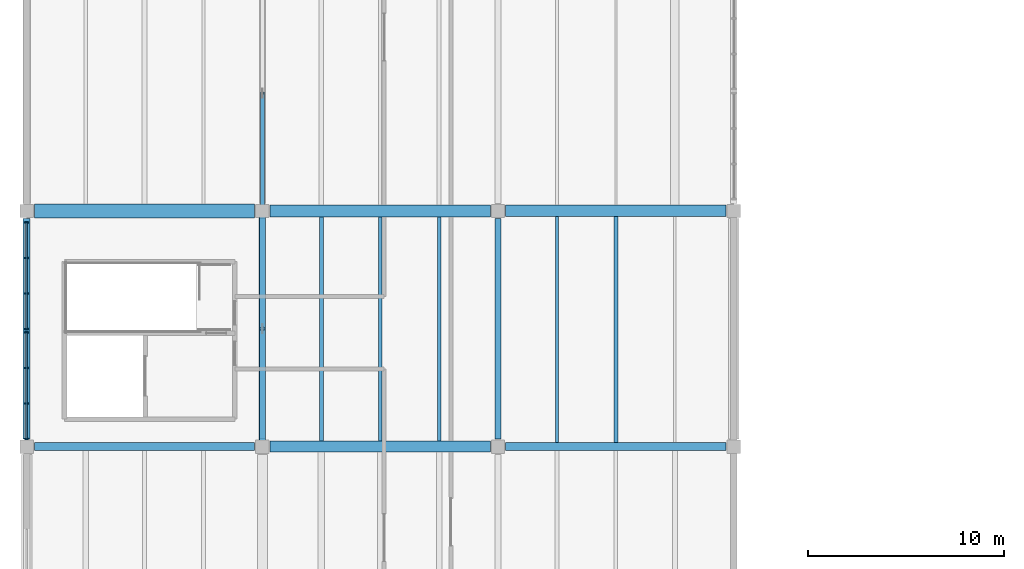
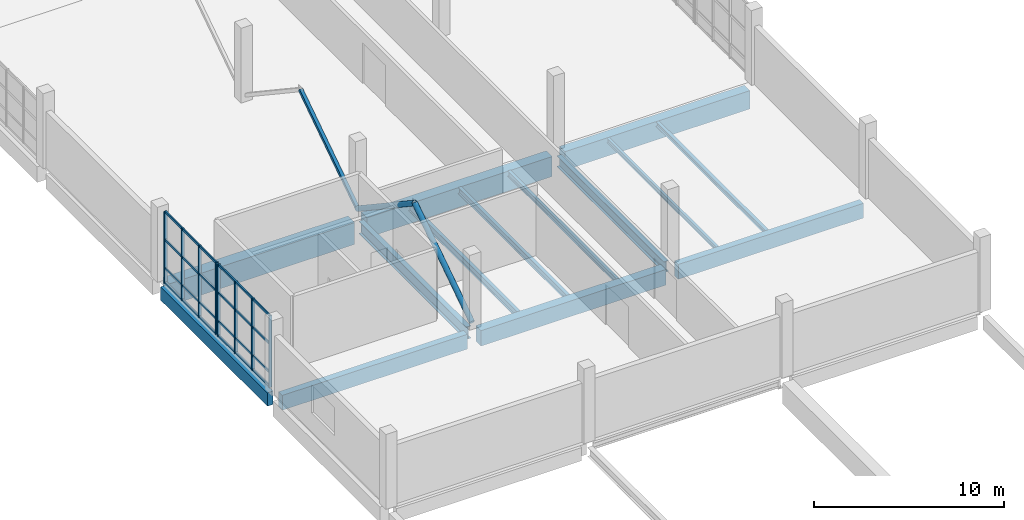
# One storey, part 5 of 49: 19 members, 14 beams, 2 elements without a shape of their own.
"""IFC4 building model written with IfcOpenShell, lengths in metres."""

from ifc_helpers import new_model, si_unit, direction, frame, origin, origin_2d, place, context, subcontext, project, spatial, rectangle, hollow_rectangle, hollow_circle, i_section, extrude, material, material_profile, profile_set, type_object, element, aggregate, save


model = new_model("IFC4")

# Units and contexts
model_context = context("Model", 3, precision=1e-05, world=origin(), true_north=direction((0.0, 1.0)))
body_context = subcontext(model_context, "Body", "Model", "MODEL_VIEW")
ifc_project = project(units=[si_unit("LENGTHUNIT", "METRE"), si_unit("AREAUNIT", "SQUARE_METRE"), si_unit("VOLUMEUNIT", "CUBIC_METRE"), si_unit("PLANEANGLEUNIT", "RADIAN"), si_unit("MASSUNIT", "GRAM", prefix="KILO")], contexts=[model_context])

# Site, building, storey
site_placement = place(None, origin())
site = spatial("IfcSite", under=ifc_project, at=site_placement, CompositionType="ELEMENT")
building_placement = place(site_placement, origin())
building = spatial("IfcBuilding", under=site, at=building_placement, Name="Kamomehara Wholesale Market", CompositionType="ELEMENT")
storey_placement = place(building_placement, frame((0.0, 0.0, 11.39990234375)))
storey = spatial("IfcBuildingStorey", under=building, at=storey_placement, Name="L02", CompositionType="ELEMENT", Elevation=11.39990234375)

# Beams
ifc_material_1 = material(Name="Precast concrete Fc45 (C40/50)", Category="concrete")
ifc_material_profile_1 = material_profile(ifc_material_1, rectangle(XDim=0.580078125, YDim=1.179931640625, at=origin_2d()), Name="PC-GRD-580x1180")
ifc_profile_set_1 = profile_set([ifc_material_profile_1], Name="Precast concrete Fc45 (C40/50)")
beam_type_1 = type_object("IfcBeamType", Name="BM-PG1180", PredefinedType="T_BEAM", material=ifc_profile_set_1)
beam_1_placement = place(storey_placement, frame((24.389892578125, 72.0, -0.911865234375), z_axis=(1.0, 0.0, 0.0), x_axis=(0.0, 1.0, 0.0)))
element("IfcBeam", 1, at=beam_1_placement, inside=storey, type_object=beam_type_1, Name="Beam PG-14 L02", PredefinedType="T_BEAM", context=body_context, shape_type="SweptSolid", body=[
    extrude(rectangle(XDim=0.580078125, YDim=1.179931640625, at=origin_2d()), origin(), (0.0, 0.0, 1.0), 11.22021484375),
])
ifc_material_2 = material(Name="Precast concrete Fc45 (C40/50)", Category="concrete")
ifc_material_profile_2 = material_profile(ifc_material_2, rectangle(XDim=0.6201171875, YDim=1.280029296875, at=origin_2d()), Name="PC-GRD-620x1280")
ifc_profile_set_2 = profile_set([ifc_material_profile_2], Name="Precast concrete Fc45 (C40/50)")
beam_type_2 = type_object("IfcBeamType", Name="BM-PG1280", PredefinedType="T_BEAM", material=ifc_profile_set_2)
beam_2_placement = place(storey_placement, frame((12.389892578125, 72.0, -0.98193359375), z_axis=(1.0, 0.0, 0.0), x_axis=(0.0, 1.0, 0.0)))
element("IfcBeam", 2, at=beam_2_placement, inside=storey, type_object=beam_type_2, Name="Beam PG-13 L02", PredefinedType="T_BEAM", context=body_context, shape_type="SweptSolid", body=[
    extrude(rectangle(XDim=0.6201171875, YDim=1.280029296875, at=origin_2d()), origin(), (0.0, 0.0, 1.0), 11.22021484375),
])
ifc_material_3 = material(Name="Precast concrete Fc45 (C40/50)", Category="concrete")
ifc_material_profile_3 = material_profile(ifc_material_3, rectangle(XDim=0.699951171875, YDim=1.39990234375, at=origin_2d()), Name="PC-GRD-700x1400")
ifc_profile_set_3 = profile_set([ifc_material_profile_3], Name="Precast concrete Fc45 (C40/50)")
beam_type_3 = type_object("IfcBeamType", Name="BM-PG1400", PredefinedType="T_BEAM", material=ifc_profile_set_3)
beam_3_placement = place(storey_placement, frame((0.389892578125, 72.0, -1.0419921875), z_axis=(1.0, 0.0, 0.0), x_axis=(0.0, 1.0, 0.0)))
element("IfcBeam", 3, at=beam_3_placement, inside=storey, type_object=beam_type_3, Name="Beam PG-02 L02", PredefinedType="T_BEAM", context=body_context, shape_type="SweptSolid", body=[
    extrude(rectangle(XDim=0.699951171875, YDim=1.39990234375, at=origin_2d()), origin(), (0.0, 0.0, 1.0), 11.22021484375),
])
ifc_material_4 = material(Name="Concrete Fc36 (C35/45)", Category="concrete")
ifc_material_profile_4 = material_profile(ifc_material_4, rectangle(XDim=0.550048828125, YDim=1.0, at=origin_2d()), Name="RC-SEB-550x1000")
ifc_profile_set_4 = profile_set([ifc_material_profile_4], Name="Concrete Fc36 (C35/45)")
beam_type_4 = type_object("IfcBeamType", Name="BM-SEB1000-EXT", PredefinedType="SPANDREL", material=ifc_profile_set_4)
beam_4_placement = place(storey_placement, frame((12.389892578125, 60.0, -0.81201171875), z_axis=(1.0, 0.0, 0.0), x_axis=(0.0, 1.0, 0.0)))
element("IfcBeam", 4, at=beam_4_placement, inside=storey, type_object=beam_type_4, Name="Beam SEB-03E L02", PredefinedType="SPANDREL", context=body_context, shape_type="SweptSolid", body=[
    extrude(rectangle(XDim=0.550048828125, YDim=1.0, at=origin_2d()), origin(), (0.0, 0.0, 1.0), 11.22021484375),
])
ifc_material_5 = material(Name="Precast concrete Fc45 (C40/50)", Category="concrete")
ifc_material_profile_5 = material_profile(ifc_material_5, rectangle(XDim=0.35009765625, YDim=0.85009765625, at=origin_2d()), Name="PC-SPN-350x850")
ifc_profile_set_5 = profile_set([ifc_material_profile_5], Name="Precast concrete Fc45 (C40/50)")
beam_type_5 = type_object("IfcBeamType", Name="BM-SPN850-EXT", PredefinedType="SPANDREL", material=ifc_profile_set_5)
beam_5_placement = place(storey_placement, frame((0.0, 60.389892578125, -0.73681640625), z_axis=(0.0, 1.0, 0.0), x_axis=(-1.0, 0.0, 0.0)))
element("IfcBeam", 5, at=beam_5_placement, inside=storey, type_object=beam_type_5, Name="Beam SPN-02E L02", PredefinedType="SPANDREL", context=body_context, shape_type="SweptSolid", body=[
    extrude(rectangle(XDim=0.35009765625, YDim=0.85009765625, at=origin_2d()), origin(), (0.0, 0.0, 1.0), 11.22021484375),
])
ifc_material_6 = material(Name="Precast concrete Fc45 (C40/50)", Category="concrete")
ifc_material_profile_6 = material_profile(ifc_material_6, rectangle(XDim=0.39990234375, YDim=0.949951171875, at=origin_2d()), Name="PC-SPN-400x950")
ifc_profile_set_6 = profile_set([ifc_material_profile_6], Name="Precast concrete Fc45 (C40/50)")
beam_type_6 = type_object("IfcBeamType", Name="BM-SPN950-EXT", PredefinedType="SPANDREL", material=ifc_profile_set_6)
for number, where, z_axis, x_axis, name in (
    (6, (0.389892578125, 60.0, -0.786865234375), (1.0, 0.0, 0.0), (0.0, 1.0, 0.0), "Beam SPN-01E L02"),
    (7, (24.389892578125, 60.0, -0.796875), (1.0, 0.0, 0.0), (0.0, 1.0, 0.0), "Beam SPN-01E L02"),
):
    element("IfcBeam", number, at=place(storey_placement, frame(where, z_axis=z_axis, x_axis=x_axis)), inside=storey, type_object=beam_type_6, Name=name, PredefinedType="SPANDREL", context=body_context, shape_type="SweptSolid", body=[
        extrude(rectangle(XDim=0.39990234375, YDim=0.949951171875, at=origin_2d()), origin(), (0.0, 0.0, 1.0), 11.22021484375),
    ])
ifc_material_7 = material(Name="Steel SN400B", Category="steel")
ifc_material_profile_7 = material_profile(ifc_material_7, i_section(OverallWidth=0.199951171875, OverallDepth=0.2939453125, WebThickness=0.008056640625, FlangeThickness=0.011962890625, FilletRadius=0.012939453125, at=origin_2d()), Name="H-294x200x8x12")
ifc_profile_set_7 = profile_set([ifc_material_profile_7], Name="Steel SN400B")
beam_type_7 = type_object("IfcBeamType", Name="BM-ST-H294", PredefinedType="JOIST", material=ifc_profile_set_7)
beam_6_placement = place(storey_placement, frame((30.0, 60.199951171875, -0.468994140625), z_axis=(0.0, 1.0, 0.0), x_axis=(-1.0, 0.0, 0.0)))
element("IfcBeam", 8, at=beam_6_placement, inside=storey, type_object=beam_type_7, Name="Beam SJ-09 L02", PredefinedType="JOIST", context=body_context, shape_type="SweptSolid", body=[
    extrude(i_section(OverallWidth=0.199951171875, OverallDepth=0.2939453125, WebThickness=0.008056640625, FlangeThickness=0.011962890625, FilletRadius=0.012939453125, at=origin_2d()), origin(), (0.0, 0.0, 1.0), 11.510009765625),
])
ifc_material_8 = material(Name="Steel SN400B", Category="steel")
ifc_material_profile_8 = material_profile(ifc_material_8, i_section(OverallWidth=0.14990234375, OverallDepth=0.300048828125, WebThickness=0.006591796875, FlangeThickness=0.009033203125, FilletRadius=0.012939453125, at=origin_2d()), Name="H-300x150x6.5x9")
ifc_profile_set_8 = profile_set([ifc_material_profile_8], Name="Steel SN400B")
beam_type_8 = type_object("IfcBeamType", Name="BM-ST-H300", PredefinedType="JOIST", material=ifc_profile_set_8)
beam_7_placement = place(storey_placement, frame((27.0, 60.199951171875, -0.471923828125), z_axis=(0.0, 1.0, 0.0), x_axis=(-1.0, 0.0, 0.0)))
element("IfcBeam", 9, at=beam_7_placement, inside=storey, type_object=beam_type_8, Name="Beam SJ-05 L02", PredefinedType="JOIST", context=body_context, shape_type="SweptSolid", body=[
    extrude(i_section(OverallWidth=0.14990234375, OverallDepth=0.300048828125, WebThickness=0.006591796875, FlangeThickness=0.009033203125, FilletRadius=0.012939453125, at=origin_2d()), origin(), (0.0, 0.0, 1.0), 11.510009765625),
])
ifc_material_9 = material(Name="Steel SN400B", Category="steel")
ifc_material_profile_9 = material_profile(ifc_material_9, i_section(OverallWidth=0.175048828125, OverallDepth=0.35009765625, WebThickness=0.007080078125, FlangeThickness=0.010986328125, FilletRadius=0.012939453125, at=origin_2d()), Name="H-350x175x7x11")
ifc_profile_set_9 = profile_set([ifc_material_profile_9], Name="Steel SN400B")
beam_type_9 = type_object("IfcBeamType", Name="BM-ST-H350", PredefinedType="JOIST", material=ifc_profile_set_9)
beam_8_placement = place(storey_placement, frame((21.0, 60.27490234375, -0.48681640625), z_axis=(0.0, 1.0, 0.0), x_axis=(-1.0, 0.0, 0.0)))
element("IfcBeam", 10, at=beam_8_placement, inside=storey, type_object=beam_type_9, Name="Beam SJ-04 L02", PredefinedType="JOIST", context=body_context, shape_type="SweptSolid", body=[
    extrude(i_section(OverallWidth=0.175048828125, OverallDepth=0.35009765625, WebThickness=0.007080078125, FlangeThickness=0.010986328125, FilletRadius=0.012939453125, at=origin_2d()), origin(), (0.0, 0.0, 1.0), 11.4150390625),
])
ifc_material_10 = material(Name="Steel SN400B", Category="steel")
ifc_material_profile_10 = material_profile(ifc_material_10, i_section(OverallWidth=0.199951171875, OverallDepth=0.39990234375, WebThickness=0.008056640625, FlangeThickness=0.012939453125, FilletRadius=0.012939453125, at=origin_2d()), Name="H-400x200x8x13")
ifc_profile_set_10 = profile_set([ifc_material_profile_10], Name="Steel SN400B")
beam_type_10 = type_object("IfcBeamType", Name="BM-ST-H400", PredefinedType="JOIST", material=ifc_profile_set_10)
beam_9_placement = place(storey_placement, frame((18.0, 60.27490234375, -0.511962890625), z_axis=(0.0, 1.0, 0.0), x_axis=(-1.0, 0.0, 0.0)))
element("IfcBeam", 11, at=beam_9_placement, inside=storey, type_object=beam_type_10, Name="Beam SJ-02 L02", PredefinedType="JOIST", context=body_context, shape_type="SweptSolid", body=[
    extrude(i_section(OverallWidth=0.199951171875, OverallDepth=0.39990234375, WebThickness=0.008056640625, FlangeThickness=0.012939453125, FilletRadius=0.012939453125, at=origin_2d()), origin(), (0.0, 0.0, 1.0), 11.4150390625),
])
ifc_material_11 = material(Name="Steel SN400B", Category="steel")
ifc_material_profile_11 = material_profile(ifc_material_11, i_section(OverallWidth=0.199951171875, OverallDepth=0.449951171875, WebThickness=0.009033203125, FlangeThickness=0.013916015625, FilletRadius=0.012939453125, at=origin_2d()), Name="H-450x200x9x14")
ifc_profile_set_11 = profile_set([ifc_material_profile_11], Name="Steel SN400B")
beam_type_11 = type_object("IfcBeamType", Name="BM-ST-H450", PredefinedType="JOIST", material=ifc_profile_set_11)
beam_10_placement = place(storey_placement, frame((15.0, 60.27490234375, -0.536865234375), z_axis=(0.0, 1.0, 0.0), x_axis=(-1.0, 0.0, 0.0)))
element("IfcBeam", 12, at=beam_10_placement, inside=storey, type_object=beam_type_11, Name="Beam SJ-01 L02", PredefinedType="JOIST", context=body_context, shape_type="SweptSolid", body=[
    extrude(i_section(OverallWidth=0.199951171875, OverallDepth=0.449951171875, WebThickness=0.009033203125, FlangeThickness=0.013916015625, FilletRadius=0.012939453125, at=origin_2d()), origin(), (0.0, 0.0, 1.0), 11.4150390625),
])
ifc_material_12 = material(Name="Steel SN490B", Category="steel")
ifc_material_profile_12 = material_profile(ifc_material_12, i_section(OverallWidth=0.300048828125, OverallDepth=0.699951171875, WebThickness=0.012939453125, FlangeThickness=0.02392578125, FilletRadius=0.02197265625, at=origin_2d()), Name="H-700x300x13x24")
ifc_profile_set_12 = profile_set([ifc_material_profile_12], Name="Steel SN490B")
beam_type_12 = type_object("IfcBeamType", Name="BM-ST-H700", PredefinedType="BEAM", material=ifc_profile_set_12)
beam_11_placement = place(storey_placement, frame((24.0, 60.389892578125, -0.671875), z_axis=(0.0, 1.0, 0.0), x_axis=(-1.0, 0.0, 0.0)))
element("IfcBeam", 13, at=beam_11_placement, inside=storey, type_object=beam_type_12, Name="Beam SG-03 L02", PredefinedType="BEAM", context=body_context, shape_type="SweptSolid", body=[
    extrude(i_section(OverallWidth=0.300048828125, OverallDepth=0.699951171875, WebThickness=0.012939453125, FlangeThickness=0.02392578125, FilletRadius=0.02197265625, at=origin_2d()), origin(), (0.0, 0.0, 1.0), 11.22021484375),
])
ifc_material_13 = material(Name="Steel SN490B", Category="steel")
ifc_material_profile_13 = material_profile(ifc_material_13, i_section(OverallWidth=0.300048828125, OverallDepth=0.800048828125, WebThickness=0.013916015625, FlangeThickness=0.02587890625, FilletRadius=0.02392578125, at=origin_2d()), Name="H-800x300x14x26")
ifc_profile_set_13 = profile_set([ifc_material_profile_13], Name="Steel SN490B")
beam_type_13 = type_object("IfcBeamType", Name="BM-ST-H800", PredefinedType="BEAM", material=ifc_profile_set_13)
beam_12_placement = place(storey_placement, frame((12.0, 60.389892578125, -0.7119140625), z_axis=(0.0, 1.0, 0.0), x_axis=(-1.0, 0.0, 0.0)))
element("IfcBeam", 14, at=beam_12_placement, inside=storey, type_object=beam_type_13, Name="Beam SG-02 L02", PredefinedType="BEAM", context=body_context, shape_type="SweptSolid", body=[
    extrude(i_section(OverallWidth=0.300048828125, OverallDepth=0.800048828125, WebThickness=0.013916015625, FlangeThickness=0.02587890625, FilletRadius=0.02392578125, at=origin_2d()), origin(), (0.0, 0.0, 1.0), 11.22021484375),
])

# Curtain wall, members
ifc_material_14 = material(Name="Anodised aluminium 6063-T5", Category="aluminium")
curtain_wall_type = type_object("IfcCurtainWallType", Name="CW-UN-10", PredefinedType="NOTDEFINED", material=ifc_material_14)
curtain_wall_1_placement = place(storey_placement, origin())
curtain_wall_1 = element("IfcCurtainWall", 15, at=curtain_wall_1_placement, inside=storey, type_object=curtain_wall_type, Name="Unitised curtain wall CW-001", PredefinedType="NOTDEFINED")
ifc_material_15 = material(Name="Anodised aluminium 6063-T5", Category="aluminium")
ifc_material_profile_14 = material_profile(ifc_material_15, rectangle(XDim=0.074951171875, YDim=0.179931640625, at=origin_2d()), Name="ALU-MUL-75x180")
ifc_profile_set_14 = profile_set([ifc_material_profile_14], Name="Anodised aluminium 6063-T5")
member_type_1 = type_object("IfcMemberType", Name="CW-MUL-180", PredefinedType="MULLION", material=ifc_profile_set_14)
member_1_placement = place(storey_placement, frame((0.0, 60.39990234375, 0.0), z_axis=(0.0, 0.0, 1.0), x_axis=(0.0, 1.0, 0.0)))
member_1 = element("IfcMember", 16, at=member_1_placement, type_object=member_type_1, Name="Mullion CW-001.0", PredefinedType="MULLION", context=body_context, shape_type="SweptSolid", body=[
    extrude(rectangle(XDim=0.074951171875, YDim=0.179931640625, at=origin_2d()), origin(), (0.0, 0.0, 1.0), 4.60009765625),
])
member_2_placement = place(storey_placement, frame((0.0, 62.199951171875, 0.0), z_axis=(0.0, 0.0, 1.0), x_axis=(0.0, 1.0, 0.0)))
member_2 = element("IfcMember", 17, at=member_2_placement, type_object=member_type_1, Name="Mullion CW-001.1", PredefinedType="MULLION", context=body_context, shape_type="SweptSolid", body=[
    extrude(rectangle(XDim=0.074951171875, YDim=0.179931640625, at=origin_2d()), origin(), (0.0, 0.0, 1.0), 4.60009765625),
])
member_3_placement = place(storey_placement, frame((0.0, 64.0, 0.0), z_axis=(0.0, 0.0, 1.0), x_axis=(0.0, 1.0, 0.0)))
member_3 = element("IfcMember", 18, at=member_3_placement, type_object=member_type_1, Name="Mullion CW-001.2", PredefinedType="MULLION", context=body_context, shape_type="SweptSolid", body=[
    extrude(rectangle(XDim=0.074951171875, YDim=0.179931640625, at=origin_2d()), origin(), (0.0, 0.0, 1.0), 4.60009765625),
])
member_4_placement = place(storey_placement, frame((0.0, 65.800048828125, 0.0), z_axis=(0.0, 0.0, 1.0), x_axis=(0.0, 1.0, 0.0)))
member_4 = element("IfcMember", 19, at=member_4_placement, type_object=member_type_1, Name="Mullion CW-001.3", PredefinedType="MULLION", context=body_context, shape_type="SweptSolid", body=[
    extrude(rectangle(XDim=0.074951171875, YDim=0.179931640625, at=origin_2d()), origin(), (0.0, 0.0, 1.0), 4.60009765625),
])

curtain_wall_2_placement = place(storey_placement, origin())
curtain_wall_2 = element("IfcCurtainWall", 20, at=curtain_wall_2_placement, inside=storey, type_object=curtain_wall_type, Name="Unitised curtain wall CW-002", PredefinedType="NOTDEFINED")
member_5_placement = place(storey_placement, frame((0.0, 66.0, 0.0), z_axis=(0.0, 0.0, 1.0), x_axis=(0.0, 1.0, 0.0)))
member_5 = element("IfcMember", 21, at=member_5_placement, type_object=member_type_1, Name="Mullion CW-002.0", PredefinedType="MULLION", context=body_context, shape_type="SweptSolid", body=[
    extrude(rectangle(XDim=0.074951171875, YDim=0.179931640625, at=origin_2d()), origin(), (0.0, 0.0, 1.0), 4.60009765625),
])
member_6_placement = place(storey_placement, frame((0.0, 67.800048828125, 0.0), z_axis=(0.0, 0.0, 1.0), x_axis=(0.0, 1.0, 0.0)))
member_6 = element("IfcMember", 22, at=member_6_placement, type_object=member_type_1, Name="Mullion CW-002.1", PredefinedType="MULLION", context=body_context, shape_type="SweptSolid", body=[
    extrude(rectangle(XDim=0.074951171875, YDim=0.179931640625, at=origin_2d()), origin(), (0.0, 0.0, 1.0), 4.60009765625),
])
member_7_placement = place(storey_placement, frame((0.0, 69.60009765625, 0.0), z_axis=(0.0, 0.0, 1.0), x_axis=(0.0, 1.0, 0.0)))
member_7 = element("IfcMember", 23, at=member_7_placement, type_object=member_type_1, Name="Mullion CW-002.2", PredefinedType="MULLION", context=body_context, shape_type="SweptSolid", body=[
    extrude(rectangle(XDim=0.074951171875, YDim=0.179931640625, at=origin_2d()), origin(), (0.0, 0.0, 1.0), 4.60009765625),
])
member_8_placement = place(storey_placement, frame((0.0, 71.39990234375, 0.0), z_axis=(0.0, 0.0, 1.0), x_axis=(0.0, 1.0, 0.0)))
member_8 = element("IfcMember", 24, at=member_8_placement, type_object=member_type_1, Name="Mullion CW-002.3", PredefinedType="MULLION", context=body_context, shape_type="SweptSolid", body=[
    extrude(rectangle(XDim=0.074951171875, YDim=0.179931640625, at=origin_2d()), origin(), (0.0, 0.0, 1.0), 4.60009765625),
])

# Member
ifc_material_16 = material(Name="Anodised aluminium 6063-T5", Category="aluminium")
ifc_material_profile_15 = material_profile(ifc_material_16, rectangle(XDim=0.074951171875, YDim=0.14990234375, at=origin_2d()), Name="ALU-TRN-75x150")
ifc_profile_set_15 = profile_set([ifc_material_profile_15], Name="Anodised aluminium 6063-T5")
member_type_2 = type_object("IfcMemberType", Name="CW-TRN-150", PredefinedType="USERDEFINED", material=ifc_profile_set_15)
member_9_placement = place(storey_placement, frame((0.0, 60.39990234375, 0.0400390625), z_axis=(0.0, 1.0, 0.0), x_axis=(-1.0, 0.0, 0.0)))
member_9 = element("IfcMember", 25, at=member_9_placement, type_object=member_type_2, Name="Transom CW-001.0", ObjectType="TRANSOM", PredefinedType="USERDEFINED", context=body_context, shape_type="SweptSolid", body=[
    extrude(rectangle(XDim=0.074951171875, YDim=0.14990234375, at=origin_2d()), origin(), (0.0, 0.0, 1.0), 5.400146484375),
])

member_10_placement = place(storey_placement, frame((0.0, 60.39990234375, 0.9501953125), z_axis=(0.0, 1.0, 0.0), x_axis=(-1.0, 0.0, 0.0)))
member_10 = element("IfcMember", 26, at=member_10_placement, type_object=member_type_2, Name="Transom CW-001.1", ObjectType="TRANSOM", PredefinedType="USERDEFINED", context=body_context, shape_type="SweptSolid", body=[
    extrude(rectangle(XDim=0.074951171875, YDim=0.14990234375, at=origin_2d()), origin(), (0.0, 0.0, 1.0), 5.400146484375),
])

member_11_placement = place(storey_placement, frame((0.0, 60.39990234375, 2.775146484375), z_axis=(0.0, 1.0, 0.0), x_axis=(-1.0, 0.0, 0.0)))
member_11 = element("IfcMember", 27, at=member_11_placement, type_object=member_type_2, Name="Transom CW-001.2", ObjectType="TRANSOM", PredefinedType="USERDEFINED", context=body_context, shape_type="SweptSolid", body=[
    extrude(rectangle(XDim=0.074951171875, YDim=0.14990234375, at=origin_2d()), origin(), (0.0, 0.0, 1.0), 5.400146484375),
])

member_12_placement = place(storey_placement, frame((0.0, 60.39990234375, 4.56005859375), z_axis=(0.0, 1.0, 0.0), x_axis=(-1.0, 0.0, 0.0)))
member_12 = element("IfcMember", 28, at=member_12_placement, type_object=member_type_2, Name="Transom CW-001.3", ObjectType="TRANSOM", PredefinedType="USERDEFINED", context=body_context, shape_type="SweptSolid", body=[
    extrude(rectangle(XDim=0.074951171875, YDim=0.14990234375, at=origin_2d()), origin(), (0.0, 0.0, 1.0), 5.400146484375),
])

aggregate(curtain_wall_1, [member_1, member_2, member_3, member_4, member_9, member_10, member_11, member_12])

member_13_placement = place(storey_placement, frame((0.0, 66.0, 0.0400390625), z_axis=(0.0, 1.0, 0.0), x_axis=(-1.0, 0.0, 0.0)))
member_13 = element("IfcMember", 29, at=member_13_placement, type_object=member_type_2, Name="Transom CW-002.0", ObjectType="TRANSOM", PredefinedType="USERDEFINED", context=body_context, shape_type="SweptSolid", body=[
    extrude(rectangle(XDim=0.074951171875, YDim=0.14990234375, at=origin_2d()), origin(), (0.0, 0.0, 1.0), 5.39990234375),
])

member_14_placement = place(storey_placement, frame((0.0, 66.0, 0.9501953125), z_axis=(0.0, 1.0, 0.0), x_axis=(-1.0, 0.0, 0.0)))
member_14 = element("IfcMember", 30, at=member_14_placement, type_object=member_type_2, Name="Transom CW-002.1", ObjectType="TRANSOM", PredefinedType="USERDEFINED", context=body_context, shape_type="SweptSolid", body=[
    extrude(rectangle(XDim=0.074951171875, YDim=0.14990234375, at=origin_2d()), origin(), (0.0, 0.0, 1.0), 5.39990234375),
])

member_15_placement = place(storey_placement, frame((0.0, 66.0, 2.775146484375), z_axis=(0.0, 1.0, 0.0), x_axis=(-1.0, 0.0, 0.0)))
member_15 = element("IfcMember", 31, at=member_15_placement, type_object=member_type_2, Name="Transom CW-002.2", ObjectType="TRANSOM", PredefinedType="USERDEFINED", context=body_context, shape_type="SweptSolid", body=[
    extrude(rectangle(XDim=0.074951171875, YDim=0.14990234375, at=origin_2d()), origin(), (0.0, 0.0, 1.0), 5.39990234375),
])

member_16_placement = place(storey_placement, frame((0.0, 66.0, 4.56005859375), z_axis=(0.0, 1.0, 0.0), x_axis=(-1.0, 0.0, 0.0)))
member_16 = element("IfcMember", 32, at=member_16_placement, type_object=member_type_2, Name="Transom CW-002.3", ObjectType="TRANSOM", PredefinedType="USERDEFINED", context=body_context, shape_type="SweptSolid", body=[
    extrude(rectangle(XDim=0.074951171875, YDim=0.14990234375, at=origin_2d()), origin(), (0.0, 0.0, 1.0), 5.39990234375),
])

aggregate(curtain_wall_2, [member_5, member_6, member_7, member_8, member_13, member_14, member_15, member_16])

# Members
ifc_material_17 = material(Name="Steel SN490B", Category="steel")
ifc_material_profile_16 = material_profile(ifc_material_17, hollow_circle(Radius=0.1591796875, WallThickness=0.01025390625, at=origin_2d()), Name="CHS-318.5x10.3")
ifc_profile_set_16 = profile_set([ifc_material_profile_16], Name="Steel SN490B")
member_type_3 = type_object("IfcMemberType", Name="MEM-BR-CHS318", PredefinedType="BRACE", material=ifc_profile_set_16)
for number, where, z_axis, x_axis, name in (
    (33, (12.0, 60.0, 0.2001953125), (0.0, 0.832050294338, 0.554700196225), (-1.0, 0.0, 0.0), "Lateral frame brace V3 60A"),
    (34, (12.0, 72.0, 0.2001953125), (0.0, -0.832050294338, 0.554700196225), (1.0, 0.0, 0.0), "Lateral frame brace V3 60B"),
):
    element("IfcMember", number, at=place(storey_placement, frame(where, z_axis=z_axis, x_axis=x_axis)), inside=storey, type_object=member_type_3, Name=name, PredefinedType="BRACE", context=body_context, shape_type="SweptSolid", body=[
        extrude(hollow_circle(Radius=0.1591796875, WallThickness=0.01025390625, at=origin_2d()), origin(), (0.0, 0.0, 1.0), 7.211181640625),
    ])
ifc_material_18 = material(Name="Steel SN490B", Category="steel")
ifc_material_profile_17 = material_profile(ifc_material_18, hollow_rectangle(XDim=0.199951171875, YDim=0.199951171875, WallThickness=0.009033203125, at=origin_2d()), Name="RHS-200x200x9")
ifc_profile_set_17 = profile_set([ifc_material_profile_17], Name="Steel SN490B")
member_type_4 = type_object("IfcMemberType", Name="MEM-BR-RHS200", PredefinedType="BRACE", material=ifc_profile_set_17)
member_17_placement = place(storey_placement, frame((12.0, 72.0, 0.2001953125), z_axis=(0.0, 0.832050294338, 0.554700196225), x_axis=(-1.0, 0.0, 0.0)))
element("IfcMember", 35, at=member_17_placement, inside=storey, type_object=member_type_4, Name="Lateral frame brace V3 72A", PredefinedType="BRACE", context=body_context, shape_type="SweptSolid", body=[
    extrude(hollow_rectangle(XDim=0.199951171875, YDim=0.199951171875, WallThickness=0.009033203125, at=origin_2d()), origin(), (0.0, 0.0, 1.0), 7.211181640625),
])

save(model, "model.ifc")
